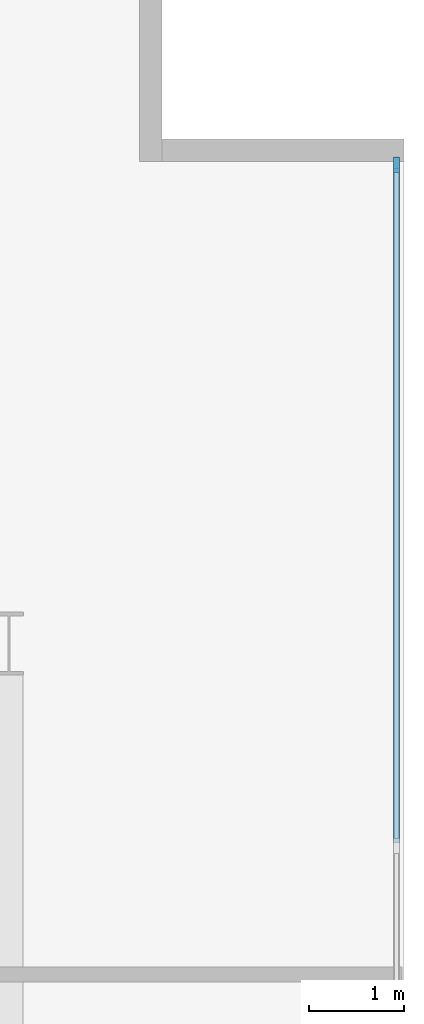
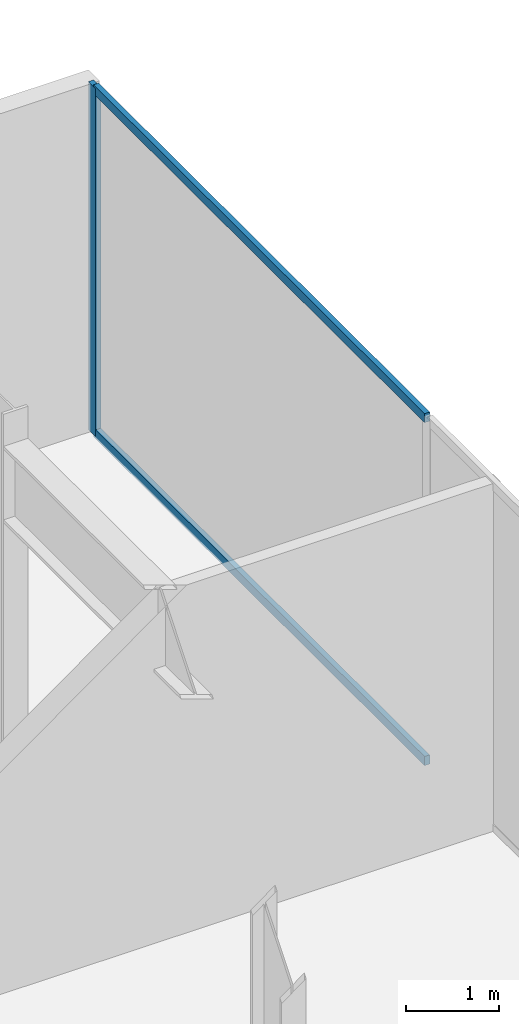
# One storey, part 15 of 21: 3 members, 1 element without a shape of its own.
"""IFC4 building model written with IfcOpenShell, lengths in metres."""

from ifc_helpers import new_model, si_unit, direction, frame, origin, origin_2d, place, context, subcontext, project, spatial, rectangle, extrude, material, layer, layer_set, material_profile, profile_set, type_object, element, aggregate, save


model = new_model("IFC4")

# Units and contexts
model_context = context("Model", 3, precision=1e-05, world=origin(), true_north=direction((0.0, 1.0)))
body_context = subcontext(model_context, "Body", "Model", "MODEL_VIEW")
ifc_project = project(units=[si_unit("LENGTHUNIT", "METRE"), si_unit("AREAUNIT", "SQUARE_METRE"), si_unit("VOLUMEUNIT", "CUBIC_METRE"), si_unit("PLANEANGLEUNIT", "RADIAN"), si_unit("MASSUNIT", "GRAM", prefix="KILO")], contexts=[model_context])

# Site, building, storey
site_placement = place(None, origin())
site = spatial("IfcSite", under=ifc_project, at=site_placement, CompositionType="ELEMENT")
building_placement = place(site_placement, origin())
building = spatial("IfcBuilding", under=site, at=building_placement, Name="Putna Gate Headquarters", CompositionType="ELEMENT")
storey_placement = place(building_placement, frame((0.0, 0.0, 315.39990234375)))
storey = spatial("IfcBuildingStorey", under=building, at=storey_placement, Name="L79", CompositionType="ELEMENT", Elevation=315.39990234375)

# Curtain wall, members
ifc_material_1 = material(Name="Anodised bronze aluminium curtain wall", Category="aluminium")
ifc_layer = layer(ifc_material_1, 0.159912109375)
ifc_layer_set = layer_set([ifc_layer], Name="Anodised bronze aluminium curtain wall")
curtain_wall_type = type_object("IfcCurtainWallType", Name="CW-SYS-CRN", PredefinedType="USERDEFINED", material=ifc_layer_set)
curtain_wall_placement = place(storey_placement, origin())
curtain_wall = element("IfcCurtainWall", 1, at=curtain_wall_placement, inside=storey, type_object=curtain_wall_type, Name="L79 Acoustic Louvre East Enclosure", ObjectType="STICK CURTAIN WALL", PredefinedType="USERDEFINED")
ifc_material_2 = material(Name="Anodised bronze aluminium EN AW-6060", Category="aluminium")
ifc_material_profile_1 = material_profile(ifc_material_2, rectangle(XDim=0.06494140625, YDim=0.159912109375, at=origin_2d()), Name="Anodised bronze aluminium EN AW-6060")
ifc_profile_set_1 = profile_set([ifc_material_profile_1], Name="Anodised bronze aluminium EN AW-6060")
member_type_1 = type_object("IfcMemberType", Name="MULL-CWM-CR", PredefinedType="MULLION", material=ifc_profile_set_1)
member_1_placement = place(storey_placement, frame((74.02001953125, 44.0673828125, 0.0), z_axis=(0.0, 0.0, 1.0), x_axis=(-1.0, 0.0, 0.0)))
member_1 = element("IfcMember", 2, at=member_1_placement, type_object=member_type_1, Name="CWS-CR mullion 6", PredefinedType="MULLION", context=body_context, shape_type="SweptSolid", body=[
    extrude(rectangle(XDim=0.06494140625, YDim=0.159912109375, at=origin_2d()), origin(), (0.0, 0.0, 1.0), 4.580078125),
])
ifc_material_profile_2 = material_profile(ifc_material_2, rectangle(XDim=0.06494140625, YDim=0.1201171875, at=origin_2d()), Name="Anodised bronze aluminium EN AW-6060")
ifc_profile_set_2 = profile_set([ifc_material_profile_2], Name="Anodised bronze aluminium EN AW-6060")
member_type_2 = type_object("IfcMemberType", Name="TRAN-CWT-CR", PredefinedType="USERDEFINED", material=ifc_profile_set_2)
member_2_placement = place(storey_placement, frame((74.02001953125, 36.892578125, 0.03271484375), z_axis=(0.0, 1.0, 0.0), x_axis=(-1.0, 0.0, 0.0)))
member_2 = element("IfcMember", 3, at=member_2_placement, type_object=member_type_2, Name="CWS-CR transom 5.1", ObjectType="TRANSOM", PredefinedType="USERDEFINED", context=body_context, shape_type="SweptSolid", body=[
    extrude(rectangle(XDim=0.06494140625, YDim=0.1201171875, at=origin_2d()), origin(), (0.0, 0.0, 1.0), 7.142333984375),
])
member_3_placement = place(storey_placement, frame((74.02001953125, 36.892578125, 4.547607421875), z_axis=(0.0, 1.0, 0.0), x_axis=(-1.0, 0.0, 0.0)))
member_3 = element("IfcMember", 4, at=member_3_placement, type_object=member_type_2, Name="CWS-CR transom 5.2", ObjectType="TRANSOM", PredefinedType="USERDEFINED", context=body_context, shape_type="SweptSolid", body=[
    extrude(rectangle(XDim=0.06494140625, YDim=0.1201171875, at=origin_2d()), origin(), (0.0, 0.0, 1.0), 7.142333984375),
])
aggregate(curtain_wall, [member_1, member_2, member_3])

save(model, "model.ifc")
